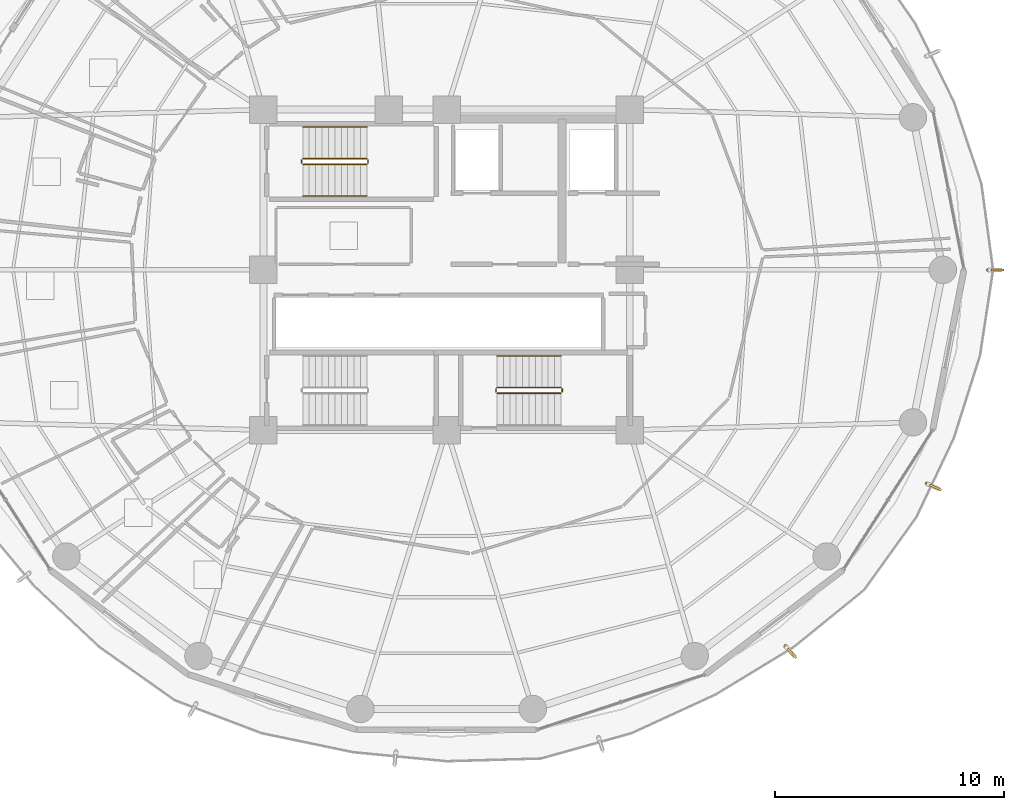
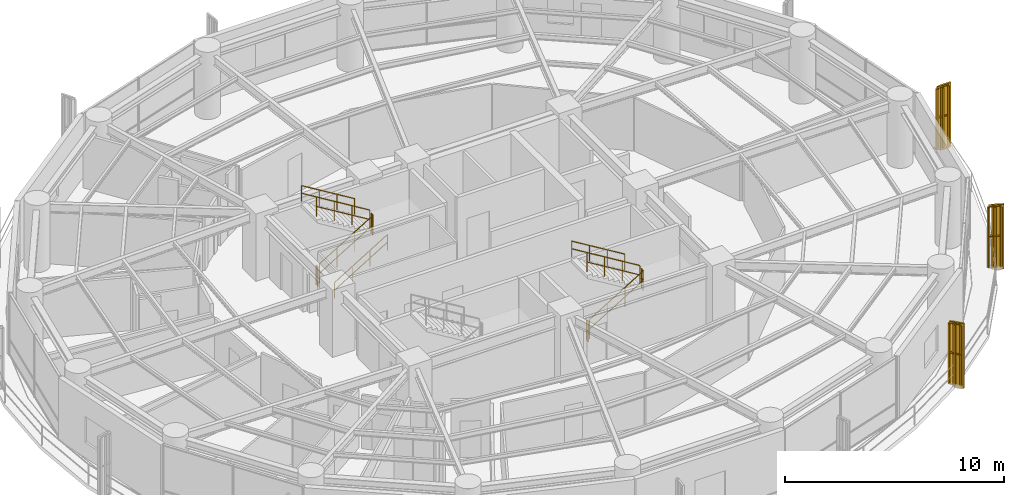
# One storey, part 27 of 28: 14 railings, 3 shading devices.
"""IFC4 building model written with IfcOpenShell, lengths in metres."""

from ifc_helpers import new_model, si_unit, direction, frame, origin, origin_2d, place, context, subcontext, project, spatial, polyline, rectangle, outline, extrude, source, transform, mapped, material, type_object, element, save


model = new_model("IFC4")

# Units and contexts
model_context = context("Model", 3, precision=1e-05, world=origin(), true_north=direction((0.0, 1.0)))
body_context = subcontext(model_context, "Body", "Model", "MODEL_VIEW")
ifc_project = project(units=[si_unit("LENGTHUNIT", "METRE"), si_unit("AREAUNIT", "SQUARE_METRE"), si_unit("VOLUMEUNIT", "CUBIC_METRE"), si_unit("PLANEANGLEUNIT", "RADIAN"), si_unit("MASSUNIT", "GRAM", prefix="KILO")], contexts=[model_context])

# Site, building, storey
site_placement = place(None, origin())
site = spatial("IfcSite", under=ifc_project, at=site_placement, CompositionType="ELEMENT")
building_placement = place(site_placement, origin())
building = spatial("IfcBuilding", under=site, at=building_placement, Name="Kelanora Arch Commons", CompositionType="ELEMENT")
storey_placement = place(building_placement, frame((0.0, 0.0, 158.10009765625)))
storey = spatial("IfcBuildingStorey", under=building, at=storey_placement, Name="L40", CompositionType="ELEMENT", Elevation=158.10009765625)

# Railings
ifc_material_1 = material(Name="Anodised bronze vertical shading fin rib assembly")
railing_type_1 = type_object("IfcRailingType", Name="RAIL-FIN-BRZ", PredefinedType="BALUSTRADE", material=ifc_material_1)
railing_1_placement = place(storey_placement, frame((97.648681640625, 58.0, -0.02001953125)))
element("IfcRailing", 1, at=railing_1_placement, inside=storey, type_object=railing_type_1, Name="Sweeping Bronze Vertical Fin Blade L40-00", PredefinedType="BALUSTRADE", context=body_context, shape_type="SweptSolid", body=[
    extrude(outline(polyline([(0.06982421875, 0.0), (0.034912109375, 0.060546875), (-0.034912109375, 0.060546875), (-0.06982421875, 0.0), (-0.034912109375, -0.060546875), (0.034912109375, -0.060546875), (0.06982421875, 0.0)])), frame((0.0, 0.0, 3.419921875), z_axis=(1.0, 0.0, 0.0), x_axis=(0.0, 1.0, 0.0)), (0.0, 0.0, 1.0), 0.5615234375),
    extrude(outline(polyline([(0.06982421875, 0.0), (0.034912109375, 0.060546875), (-0.034912109375, 0.060546875), (-0.06982421875, 0.0), (-0.034912109375, -0.060546875), (0.034912109375, -0.060546875), (0.06982421875, 0.0)])), frame((0.0, 0.0, 1.7451171875), z_axis=(1.0, 0.0, 0.0), x_axis=(0.0, 1.0, 0.0)), (0.0, 0.0, 1.0), 0.5615234375),
    extrude(outline(polyline([(0.080078125, 0.0), (0.0400390625, 0.0693359375), (-0.0400390625, 0.0693359375), (-0.080078125, 0.0), (-0.0400390625, -0.0693359375), (0.0400390625, -0.0693359375), (0.080078125, 0.0)])), origin(), (0.0, 0.0, 1.0), 3.35009765625),
    extrude(outline(polyline([(0.080078125, 0.0), (0.0400390625, 0.0693359375), (-0.0400390625, 0.0693359375), (-0.080078125, 0.0), (-0.0400390625, -0.0693359375), (0.0400390625, -0.0693359375), (0.080078125, 0.0)])), frame((0.28076171875, 0.0, 0.0)), (0.0, 0.0, 1.0), 3.35009765625),
    extrude(outline(polyline([(0.080078125, 0.0), (0.0400390625, 0.0693359375), (-0.0400390625, 0.0693359375), (-0.080078125, 0.0), (-0.0400390625, -0.0693359375), (0.0400390625, -0.0693359375), (0.080078125, 0.0)])), frame((0.5615234375, 0.0, 0.0)), (0.0, 0.0, 1.0), 3.35009765625),
])
railing_2_placement = place(storey_placement, frame((88.8037109375, 41.55859375, -0.02001953125)))
element("IfcRailing", 2, at=railing_2_placement, inside=storey, type_object=railing_type_1, Name="Sweeping Bronze Vertical Fin Blade L40-13", PredefinedType="BALUSTRADE", context=body_context, shape_type="SweptSolid", body=[
    extrude(outline(polyline([(0.06982421875, 0.0), (0.034912109375, 0.060546875), (-0.034912109375, 0.060546875), (-0.06982421875, 0.0), (-0.034912109375, -0.060546875), (0.034912109375, -0.060546875), (0.06982421875, 0.0)])), frame((0.0, 0.0, 3.419921875), z_axis=(0.669397171204, -0.742904722817, 0.0), x_axis=(0.742904722817, 0.669397171204, 0.0)), (0.0, 0.0, 1.0), 0.561279296875),
    extrude(outline(polyline([(0.06982421875, 0.0), (0.034912109375, 0.060546875), (-0.034912109375, 0.060546875), (-0.06982421875, 0.0), (-0.034912109375, -0.060546875), (0.034912109375, -0.060546875), (0.06982421875, 0.0)])), frame((0.0, 0.0, 1.7451171875), z_axis=(0.669397171204, -0.742904722817, 0.0), x_axis=(0.742904722817, 0.669397171204, 0.0)), (0.0, 0.0, 1.0), 0.561279296875),
    extrude(outline(polyline([(0.080078125, 0.0), (0.0400390625, 0.0693359375), (-0.0400390625, 0.0693359375), (-0.080078125, 0.0), (-0.0400390625, -0.0693359375), (0.0400390625, -0.0693359375), (0.080078125, 0.0)])), origin(), (0.0, 0.0, 1.0), 3.35009765625),
    extrude(outline(polyline([(0.080078125, 0.0), (0.0400390625, 0.0693359375), (-0.0400390625, 0.0693359375), (-0.080078125, 0.0), (-0.0400390625, -0.0693359375), (0.0400390625, -0.0693359375), (0.080078125, 0.0)])), frame((0.18798828125, -0.20849609375, 0.0)), (0.0, 0.0, 1.0), 3.35009765625),
    extrude(outline(polyline([(0.080078125, 0.0), (0.0400390625, 0.0693359375), (-0.0400390625, 0.0693359375), (-0.080078125, 0.0), (-0.0400390625, -0.0693359375), (0.0400390625, -0.0693359375), (0.080078125, 0.0)])), frame((0.375732421875, -0.4169921875, 0.0)), (0.0, 0.0, 1.0), 3.35009765625),
])
railing_3_placement = place(storey_placement, frame((94.9697265625, 48.663818359375, -0.02001953125)))
element("IfcRailing", 3, at=railing_3_placement, inside=storey, type_object=railing_type_1, Name="Sweeping Bronze Vertical Fin Blade L40-14", PredefinedType="BALUSTRADE", context=body_context, shape_type="SweptSolid", body=[
    extrude(outline(polyline([(0.06982421875, 0.0), (0.034912109375, 0.060546875), (-0.034912109375, 0.060546875), (-0.06982421875, 0.0), (-0.034912109375, -0.060546875), (0.034912109375, -0.060546875), (0.06982421875, 0.0)])), frame((0.0, 0.0, 3.419921875), z_axis=(0.91345261894, -0.406945098204, 0.0), x_axis=(0.406945098204, 0.91345261894, 0.0)), (0.0, 0.0, 1.0), 0.5615234375),
    extrude(outline(polyline([(0.06982421875, 0.0), (0.034912109375, 0.060546875), (-0.034912109375, 0.060546875), (-0.06982421875, 0.0), (-0.034912109375, -0.060546875), (0.034912109375, -0.060546875), (0.06982421875, 0.0)])), frame((0.0, 0.0, 1.7451171875), z_axis=(0.91345261894, -0.406945098204, 0.0), x_axis=(0.406945098204, 0.91345261894, 0.0)), (0.0, 0.0, 1.0), 0.5615234375),
    extrude(outline(polyline([(0.080078125, 0.0), (0.0400390625, 0.0693359375), (-0.0400390625, 0.0693359375), (-0.080078125, 0.0), (-0.0400390625, -0.0693359375), (0.0400390625, -0.0693359375), (0.080078125, 0.0)])), origin(), (0.0, 0.0, 1.0), 3.35009765625),
    extrude(outline(polyline([(0.080078125, 0.0), (0.0400390625, 0.0693359375), (-0.0400390625, 0.0693359375), (-0.080078125, 0.0), (-0.0400390625, -0.0693359375), (0.0400390625, -0.0693359375), (0.080078125, 0.0)])), frame((0.25634765625, -0.1142578125, 0.0)), (0.0, 0.0, 1.0), 3.35009765625),
    extrude(outline(polyline([(0.080078125, 0.0), (0.0400390625, 0.0693359375), (-0.0400390625, 0.0693359375), (-0.080078125, 0.0), (-0.0400390625, -0.0693359375), (0.0400390625, -0.0693359375), (0.080078125, 0.0)])), frame((0.512939453125, -0.228515625, 0.0)), (0.0, 0.0, 1.0), 3.35009765625),
])
ifc_material_2 = material(Name="Painted steel stair well guard", Category="steel")
railing_type_2 = type_object("IfcRailingType", Name="RAIL-STAIR-GRD", PredefinedType="GUARDRAIL", material=ifc_material_2)
railing_4_placement = place(storey_placement, frame((67.719970703125, 62.610107421875, 0.17041015625)))
element("IfcRailing", 4, at=railing_4_placement, inside=storey, type_object=railing_type_2, Name="L40 ST-T1 stair guard 1", PredefinedType="GUARDRAIL", context=body_context, shape_type="SweptSolid", body=[
    extrude(outline(polyline([(0.02392578125, 0.0), (0.011962890625, 0.020751953125), (-0.011962890625, 0.020751953125), (-0.02392578125, 0.0), (-0.011962890625, -0.020751953125), (0.011962890625, -0.020751953125), (0.02392578125, 0.0)])), frame((0.0, 0.0, 1.076171875), z_axis=(0.854169791009, 0.0, 0.51999420009), x_axis=(0.0, 1.0, 0.0)), (0.0, 0.0, 1.0), 3.278076171875),
    extrude(outline(polyline([(0.02392578125, 0.0), (0.011962890625, 0.020751953125), (-0.011962890625, 0.020751953125), (-0.02392578125, 0.0), (-0.011962890625, -0.020751953125), (0.011962890625, -0.020751953125), (0.02392578125, 0.0)])), frame((0.0, 0.0, 0.550048828125), z_axis=(0.854169791009, 0.0, 0.51999420009), x_axis=(0.0, 1.0, 0.0)), (0.0, 0.0, 1.0), 3.278076171875),
    extrude(outline(polyline([(0.02099609375, 0.0), (0.010498046875, 0.01806640625), (-0.010498046875, 0.01806640625), (-0.02099609375, 0.0), (-0.010498046875, -0.01806640625), (0.010498046875, -0.01806640625), (0.02099609375, 0.0)])), origin(), (0.0, 0.0, 1.0), 1.052001953125),
    extrude(outline(polyline([(0.02099609375, 0.0), (0.010498046875, 0.01806640625), (-0.010498046875, 0.01806640625), (-0.02099609375, 0.0), (-0.010498046875, -0.01806640625), (0.010498046875, -0.01806640625), (0.02099609375, 0.0)])), frame((0.933349609375, 0.0, 0.568115234375)), (0.0, 0.0, 1.0), 1.052001953125),
    extrude(outline(polyline([(0.02099609375, 0.0), (0.010498046875, 0.01806640625), (-0.010498046875, 0.01806640625), (-0.02099609375, 0.0), (-0.010498046875, -0.01806640625), (0.010498046875, -0.01806640625), (0.02099609375, 0.0)])), frame((1.86669921875, 0.0, 1.136474609375)), (0.0, 0.0, 1.0), 1.052001953125),
    extrude(outline(polyline([(0.02099609375, 0.0), (0.010498046875, 0.01806640625), (-0.010498046875, 0.01806640625), (-0.02099609375, 0.0), (-0.010498046875, -0.01806640625), (0.010498046875, -0.01806640625), (0.02099609375, 0.0)])), frame((2.800048828125, 0.0, 1.70458984375)), (0.0, 0.0, 1.0), 1.052001953125),
])
railing_5_placement = place(storey_placement, frame((70.570068359375, 62.659912109375, 1.875)))
element("IfcRailing", 5, at=railing_5_placement, inside=storey, type_object=railing_type_2, Name="L40 ST-T1 stair guard 2", PredefinedType="GUARDRAIL", context=body_context, shape_type="SweptSolid", body=[
    extrude(outline(polyline([(0.02392578125, 0.0), (0.011962890625, 0.020751953125), (-0.011962890625, 0.020751953125), (-0.02392578125, 0.0), (-0.011962890625, -0.020751953125), (0.011962890625, -0.020751953125), (0.02392578125, 0.0)])), frame((0.0, 0.0, 1.076171875), z_axis=(0.0, 1.0, 0.0), x_axis=(-1.0, 0.0, 0.0)), (0.0, 0.0, 1.0), 0.150146484375),
    extrude(outline(polyline([(0.02392578125, 0.0), (0.011962890625, 0.020751953125), (-0.011962890625, 0.020751953125), (-0.02392578125, 0.0), (-0.011962890625, -0.020751953125), (0.011962890625, -0.020751953125), (0.02392578125, 0.0)])), frame((0.0, 0.0, 0.550048828125), z_axis=(0.0, 1.0, 0.0), x_axis=(-1.0, 0.0, 0.0)), (0.0, 0.0, 1.0), 0.150146484375),
    extrude(outline(polyline([(0.02099609375, 0.0), (0.010498046875, 0.01806640625), (-0.010498046875, 0.01806640625), (-0.02099609375, 0.0), (-0.010498046875, -0.01806640625), (0.010498046875, -0.01806640625), (0.02099609375, 0.0)])), origin(), (0.0, 0.0, 1.0), 1.052001953125),
    extrude(outline(polyline([(0.02099609375, 0.0), (0.010498046875, 0.01806640625), (-0.010498046875, 0.01806640625), (-0.02099609375, 0.0), (-0.010498046875, -0.01806640625), (0.010498046875, -0.01806640625), (0.02099609375, 0.0)])), frame((0.0, 0.150146484375, 0.0)), (0.0, 0.0, 1.0), 1.052001953125),
])
railing_6_placement = place(storey_placement, frame((70.52001953125, 62.860107421875, 2.04541015625)))
element("IfcRailing", 6, at=railing_6_placement, inside=storey, type_object=railing_type_2, Name="L40 ST-T1 stair guard 3", PredefinedType="GUARDRAIL", context=body_context, shape_type="SweptSolid", body=[
    extrude(outline(polyline([(0.02392578125, 0.0), (0.011962890625, 0.020751953125), (-0.011962890625, 0.020751953125), (-0.02392578125, 0.0), (-0.011962890625, -0.020751953125), (0.011962890625, -0.020751953125), (0.02392578125, 0.0)])), frame((0.0, 0.0, 1.076171875), z_axis=(-0.854169791009, 0.0, 0.51999420009), x_axis=(0.0, -1.0, 0.0)), (0.0, 0.0, 1.0), 3.278076171875),
    extrude(outline(polyline([(0.02392578125, 0.0), (0.011962890625, 0.020751953125), (-0.011962890625, 0.020751953125), (-0.02392578125, 0.0), (-0.011962890625, -0.020751953125), (0.011962890625, -0.020751953125), (0.02392578125, 0.0)])), frame((0.0, 0.0, 0.550048828125), z_axis=(-0.854169791009, 0.0, 0.51999420009), x_axis=(0.0, -1.0, 0.0)), (0.0, 0.0, 1.0), 3.278076171875),
    extrude(outline(polyline([(0.02099609375, 0.0), (0.010498046875, 0.01806640625), (-0.010498046875, 0.01806640625), (-0.02099609375, 0.0), (-0.010498046875, -0.01806640625), (0.010498046875, -0.01806640625), (0.02099609375, 0.0)])), origin(), (0.0, 0.0, 1.0), 1.052001953125),
    extrude(outline(polyline([(0.02099609375, 0.0), (0.010498046875, 0.01806640625), (-0.010498046875, 0.01806640625), (-0.02099609375, 0.0), (-0.010498046875, -0.01806640625), (0.010498046875, -0.01806640625), (0.02099609375, 0.0)])), frame((-0.933349609375, 0.0, 0.568115234375)), (0.0, 0.0, 1.0), 1.052001953125),
    extrude(outline(polyline([(0.02099609375, 0.0), (0.010498046875, 0.01806640625), (-0.010498046875, 0.01806640625), (-0.02099609375, 0.0), (-0.010498046875, -0.01806640625), (0.010498046875, -0.01806640625), (0.02099609375, 0.0)])), frame((-1.86669921875, 0.0, 1.136474609375)), (0.0, 0.0, 1.0), 1.052001953125),
    extrude(outline(polyline([(0.02099609375, 0.0), (0.010498046875, 0.01806640625), (-0.010498046875, 0.01806640625), (-0.02099609375, 0.0), (-0.010498046875, -0.01806640625), (0.010498046875, -0.01806640625), (0.02099609375, 0.0)])), frame((-2.800048828125, 0.0, 1.70458984375)), (0.0, 0.0, 1.0), 1.052001953125),
])
railing_7_placement = place(storey_placement, frame((67.669921875, 62.659912109375, 0.0)))
element("IfcRailing", 7, at=railing_7_placement, inside=storey, type_object=railing_type_2, Name="L40 ST-T1 stair guard 4", PredefinedType="GUARDRAIL", context=body_context, shape_type="SweptSolid", body=[
    extrude(outline(polyline([(0.02392578125, 0.0), (0.011962890625, 0.020751953125), (-0.011962890625, 0.020751953125), (-0.02392578125, 0.0), (-0.011962890625, -0.020751953125), (0.011962890625, -0.020751953125), (0.02392578125, 0.0)])), frame((0.0, 0.0, 1.076171875), z_axis=(0.0, 1.0, 0.0), x_axis=(-1.0, 0.0, 0.0)), (0.0, 0.0, 1.0), 0.150146484375),
    extrude(outline(polyline([(0.02392578125, 0.0), (0.011962890625, 0.020751953125), (-0.011962890625, 0.020751953125), (-0.02392578125, 0.0), (-0.011962890625, -0.020751953125), (0.011962890625, -0.020751953125), (0.02392578125, 0.0)])), frame((0.0, 0.0, 0.550048828125), z_axis=(0.0, 1.0, 0.0), x_axis=(-1.0, 0.0, 0.0)), (0.0, 0.0, 1.0), 0.150146484375),
    extrude(outline(polyline([(0.02099609375, 0.0), (0.010498046875, 0.01806640625), (-0.010498046875, 0.01806640625), (-0.02099609375, 0.0), (-0.010498046875, -0.01806640625), (0.010498046875, -0.01806640625), (0.02099609375, 0.0)])), origin(), (0.0, 0.0, 1.0), 1.052001953125),
    extrude(outline(polyline([(0.02099609375, 0.0), (0.010498046875, 0.01806640625), (-0.010498046875, 0.01806640625), (-0.02099609375, 0.0), (-0.010498046875, -0.01806640625), (0.010498046875, -0.01806640625), (0.02099609375, 0.0)])), frame((0.0, 0.150146484375, 0.0)), (0.0, 0.0, 1.0), 1.052001953125),
])
railing_8_placement = place(storey_placement, frame((76.199951171875, 52.610107421875, 0.17041015625)))
element("IfcRailing", 8, at=railing_8_placement, inside=storey, type_object=railing_type_2, Name="L40 ST-T2 stair guard 1", PredefinedType="GUARDRAIL", context=body_context, shape_type="SweptSolid", body=[
    extrude(outline(polyline([(0.02392578125, 0.0), (0.011962890625, 0.020751953125), (-0.011962890625, 0.020751953125), (-0.02392578125, 0.0), (-0.011962890625, -0.020751953125), (0.011962890625, -0.020751953125), (0.02392578125, 0.0)])), frame((0.0, 0.0, 1.076171875), z_axis=(0.854169791009, 0.0, 0.51999420009), x_axis=(0.0, 1.0, 0.0)), (0.0, 0.0, 1.0), 3.278076171875),
    extrude(outline(polyline([(0.02392578125, 0.0), (0.011962890625, 0.020751953125), (-0.011962890625, 0.020751953125), (-0.02392578125, 0.0), (-0.011962890625, -0.020751953125), (0.011962890625, -0.020751953125), (0.02392578125, 0.0)])), frame((0.0, 0.0, 0.550048828125), z_axis=(0.854169791009, 0.0, 0.51999420009), x_axis=(0.0, 1.0, 0.0)), (0.0, 0.0, 1.0), 3.278076171875),
    extrude(outline(polyline([(0.02099609375, 0.0), (0.010498046875, 0.01806640625), (-0.010498046875, 0.01806640625), (-0.02099609375, 0.0), (-0.010498046875, -0.01806640625), (0.010498046875, -0.01806640625), (0.02099609375, 0.0)])), origin(), (0.0, 0.0, 1.0), 1.052001953125),
    extrude(outline(polyline([(0.02099609375, 0.0), (0.010498046875, 0.01806640625), (-0.010498046875, 0.01806640625), (-0.02099609375, 0.0), (-0.010498046875, -0.01806640625), (0.010498046875, -0.01806640625), (0.02099609375, 0.0)])), frame((0.933349609375, 0.0, 0.568115234375)), (0.0, 0.0, 1.0), 1.052001953125),
    extrude(outline(polyline([(0.02099609375, 0.0), (0.010498046875, 0.01806640625), (-0.010498046875, 0.01806640625), (-0.02099609375, 0.0), (-0.010498046875, -0.01806640625), (0.010498046875, -0.01806640625), (0.02099609375, 0.0)])), frame((1.86669921875, 0.0, 1.136474609375)), (0.0, 0.0, 1.0), 1.052001953125),
    extrude(outline(polyline([(0.02099609375, 0.0), (0.010498046875, 0.01806640625), (-0.010498046875, 0.01806640625), (-0.02099609375, 0.0), (-0.010498046875, -0.01806640625), (0.010498046875, -0.01806640625), (0.02099609375, 0.0)])), frame((2.800048828125, 0.0, 1.70458984375)), (0.0, 0.0, 1.0), 1.052001953125),
])
railing_9_placement = place(storey_placement, frame((79.050048828125, 52.659912109375, 1.875)))
element("IfcRailing", 9, at=railing_9_placement, inside=storey, type_object=railing_type_2, Name="L40 ST-T2 stair guard 2", PredefinedType="GUARDRAIL", context=body_context, shape_type="SweptSolid", body=[
    extrude(outline(polyline([(0.02392578125, 0.0), (0.011962890625, 0.020751953125), (-0.011962890625, 0.020751953125), (-0.02392578125, 0.0), (-0.011962890625, -0.020751953125), (0.011962890625, -0.020751953125), (0.02392578125, 0.0)])), frame((0.0, 0.0, 1.076171875), z_axis=(0.0, 1.0, 0.0), x_axis=(-1.0, 0.0, 0.0)), (0.0, 0.0, 1.0), 0.150146484375),
    extrude(outline(polyline([(0.02392578125, 0.0), (0.011962890625, 0.020751953125), (-0.011962890625, 0.020751953125), (-0.02392578125, 0.0), (-0.011962890625, -0.020751953125), (0.011962890625, -0.020751953125), (0.02392578125, 0.0)])), frame((0.0, 0.0, 0.550048828125), z_axis=(0.0, 1.0, 0.0), x_axis=(-1.0, 0.0, 0.0)), (0.0, 0.0, 1.0), 0.150146484375),
    extrude(outline(polyline([(0.02099609375, 0.0), (0.010498046875, 0.01806640625), (-0.010498046875, 0.01806640625), (-0.02099609375, 0.0), (-0.010498046875, -0.01806640625), (0.010498046875, -0.01806640625), (0.02099609375, 0.0)])), origin(), (0.0, 0.0, 1.0), 1.052001953125),
    extrude(outline(polyline([(0.02099609375, 0.0), (0.010498046875, 0.01806640625), (-0.010498046875, 0.01806640625), (-0.02099609375, 0.0), (-0.010498046875, -0.01806640625), (0.010498046875, -0.01806640625), (0.02099609375, 0.0)])), frame((0.0, 0.150146484375, 0.0)), (0.0, 0.0, 1.0), 1.052001953125),
])
railing_10_placement = place(storey_placement, frame((79.0, 52.860107421875, 2.04541015625)))
element("IfcRailing", 10, at=railing_10_placement, inside=storey, type_object=railing_type_2, Name="L40 ST-T2 stair guard 3", PredefinedType="GUARDRAIL", context=body_context, shape_type="SweptSolid", body=[
    extrude(outline(polyline([(0.02392578125, 0.0), (0.011962890625, 0.020751953125), (-0.011962890625, 0.020751953125), (-0.02392578125, 0.0), (-0.011962890625, -0.020751953125), (0.011962890625, -0.020751953125), (0.02392578125, 0.0)])), frame((0.0, 0.0, 1.076171875), z_axis=(-0.854169791009, 0.0, 0.51999420009), x_axis=(0.0, -1.0, 0.0)), (0.0, 0.0, 1.0), 3.278076171875),
    extrude(outline(polyline([(0.02392578125, 0.0), (0.011962890625, 0.020751953125), (-0.011962890625, 0.020751953125), (-0.02392578125, 0.0), (-0.011962890625, -0.020751953125), (0.011962890625, -0.020751953125), (0.02392578125, 0.0)])), frame((0.0, 0.0, 0.550048828125), z_axis=(-0.854169791009, 0.0, 0.51999420009), x_axis=(0.0, -1.0, 0.0)), (0.0, 0.0, 1.0), 3.278076171875),
    extrude(outline(polyline([(0.02099609375, 0.0), (0.010498046875, 0.01806640625), (-0.010498046875, 0.01806640625), (-0.02099609375, 0.0), (-0.010498046875, -0.01806640625), (0.010498046875, -0.01806640625), (0.02099609375, 0.0)])), origin(), (0.0, 0.0, 1.0), 1.052001953125),
    extrude(outline(polyline([(0.02099609375, 0.0), (0.010498046875, 0.01806640625), (-0.010498046875, 0.01806640625), (-0.02099609375, 0.0), (-0.010498046875, -0.01806640625), (0.010498046875, -0.01806640625), (0.02099609375, 0.0)])), frame((-0.933349609375, 0.0, 0.568115234375)), (0.0, 0.0, 1.0), 1.052001953125),
    extrude(outline(polyline([(0.02099609375, 0.0), (0.010498046875, 0.01806640625), (-0.010498046875, 0.01806640625), (-0.02099609375, 0.0), (-0.010498046875, -0.01806640625), (0.010498046875, -0.01806640625), (0.02099609375, 0.0)])), frame((-1.86669921875, 0.0, 1.136474609375)), (0.0, 0.0, 1.0), 1.052001953125),
    extrude(outline(polyline([(0.02099609375, 0.0), (0.010498046875, 0.01806640625), (-0.010498046875, 0.01806640625), (-0.02099609375, 0.0), (-0.010498046875, -0.01806640625), (0.010498046875, -0.01806640625), (0.02099609375, 0.0)])), frame((-2.800048828125, 0.0, 1.70458984375)), (0.0, 0.0, 1.0), 1.052001953125),
])
railing_11_placement = place(storey_placement, frame((76.14990234375, 52.659912109375, 0.0)))
element("IfcRailing", 11, at=railing_11_placement, inside=storey, type_object=railing_type_2, Name="L40 ST-T2 stair guard 4", PredefinedType="GUARDRAIL", context=body_context, shape_type="SweptSolid", body=[
    extrude(outline(polyline([(0.02392578125, 0.0), (0.011962890625, 0.020751953125), (-0.011962890625, 0.020751953125), (-0.02392578125, 0.0), (-0.011962890625, -0.020751953125), (0.011962890625, -0.020751953125), (0.02392578125, 0.0)])), frame((0.0, 0.0, 1.076171875), z_axis=(0.0, 1.0, 0.0), x_axis=(-1.0, 0.0, 0.0)), (0.0, 0.0, 1.0), 0.150146484375),
    extrude(outline(polyline([(0.02392578125, 0.0), (0.011962890625, 0.020751953125), (-0.011962890625, 0.020751953125), (-0.02392578125, 0.0), (-0.011962890625, -0.020751953125), (0.011962890625, -0.020751953125), (0.02392578125, 0.0)])), frame((0.0, 0.0, 0.550048828125), z_axis=(0.0, 1.0, 0.0), x_axis=(-1.0, 0.0, 0.0)), (0.0, 0.0, 1.0), 0.150146484375),
    extrude(outline(polyline([(0.02099609375, 0.0), (0.010498046875, 0.01806640625), (-0.010498046875, 0.01806640625), (-0.02099609375, 0.0), (-0.010498046875, -0.01806640625), (0.010498046875, -0.01806640625), (0.02099609375, 0.0)])), origin(), (0.0, 0.0, 1.0), 1.052001953125),
    extrude(outline(polyline([(0.02099609375, 0.0), (0.010498046875, 0.01806640625), (-0.010498046875, 0.01806640625), (-0.02099609375, 0.0), (-0.010498046875, -0.01806640625), (0.010498046875, -0.01806640625), (0.02099609375, 0.0)])), frame((0.0, 0.150146484375, 0.0)), (0.0, 0.0, 1.0), 1.052001953125),
])
ifc_material_3 = material(Name="Brushed stainless steel stair handrail", Category="steel")
railing_type_3 = type_object("IfcRailingType", Name="RAIL-STAIR-HND", PredefinedType="HANDRAIL", material=ifc_material_3)
railing_12_placement = place(storey_placement, frame((67.719970703125, 61.22998046875, 0.17041015625)))
element("IfcRailing", 12, at=railing_12_placement, inside=storey, type_object=railing_type_3, Name="L40 ST-T1 stair handrail 1", PredefinedType="HANDRAIL", context=body_context, shape_type="SweptSolid", body=[
    extrude(outline(polyline([(0.02392578125, 0.0), (0.011962890625, 0.020751953125), (-0.011962890625, 0.020751953125), (-0.02392578125, 0.0), (-0.011962890625, -0.020751953125), (0.011962890625, -0.020751953125), (0.02392578125, 0.0)])), frame((0.0, 0.0, 0.8759765625), z_axis=(0.854169791009, 0.0, 0.51999420009), x_axis=(0.0, 1.0, 0.0)), (0.0, 0.0, 1.0), 3.278076171875),
    extrude(outline(polyline([(0.02392578125, 0.0), (0.011962890625, 0.020751953125), (-0.011962890625, 0.020751953125), (-0.02392578125, 0.0), (-0.011962890625, -0.020751953125), (0.011962890625, -0.020751953125), (0.02392578125, 0.0)])), frame((0.0, 0.0, 0.449951171875), z_axis=(0.854169791009, 0.0, 0.51999420009), x_axis=(0.0, 1.0, 0.0)), (0.0, 0.0, 1.0), 3.278076171875),
    extrude(outline(polyline([(0.02099609375, 0.0), (0.010498046875, 0.01806640625), (-0.010498046875, 0.01806640625), (-0.02099609375, 0.0), (-0.010498046875, -0.01806640625), (0.010498046875, -0.01806640625), (0.02099609375, 0.0)])), origin(), (0.0, 0.0, 1.0), 0.851806640625),
    extrude(outline(polyline([(0.02099609375, 0.0), (0.010498046875, 0.01806640625), (-0.010498046875, 0.01806640625), (-0.02099609375, 0.0), (-0.010498046875, -0.01806640625), (0.010498046875, -0.01806640625), (0.02099609375, 0.0)])), frame((0.933349609375, 0.0, 0.568115234375)), (0.0, 0.0, 1.0), 0.851806640625),
    extrude(outline(polyline([(0.02099609375, 0.0), (0.010498046875, 0.01806640625), (-0.010498046875, 0.01806640625), (-0.02099609375, 0.0), (-0.010498046875, -0.01806640625), (0.010498046875, -0.01806640625), (0.02099609375, 0.0)])), frame((1.86669921875, 0.0, 1.136474609375)), (0.0, 0.0, 1.0), 0.851806640625),
    extrude(outline(polyline([(0.02099609375, 0.0), (0.010498046875, 0.01806640625), (-0.010498046875, 0.01806640625), (-0.02099609375, 0.0), (-0.010498046875, -0.01806640625), (0.010498046875, -0.01806640625), (0.02099609375, 0.0)])), frame((2.800048828125, 0.0, 1.70458984375)), (0.0, 0.0, 1.0), 0.851806640625),
])
railing_13_placement = place(storey_placement, frame((70.52001953125, 64.239990234375, 2.04541015625)))
element("IfcRailing", 13, at=railing_13_placement, inside=storey, type_object=railing_type_3, Name="L40 ST-T1 stair handrail 2", PredefinedType="HANDRAIL", context=body_context, shape_type="SweptSolid", body=[
    extrude(outline(polyline([(0.02392578125, 0.0), (0.011962890625, 0.020751953125), (-0.011962890625, 0.020751953125), (-0.02392578125, 0.0), (-0.011962890625, -0.020751953125), (0.011962890625, -0.020751953125), (0.02392578125, 0.0)])), frame((0.0, 0.0, 0.8759765625), z_axis=(-0.854169791009, 0.0, 0.51999420009), x_axis=(0.0, -1.0, 0.0)), (0.0, 0.0, 1.0), 3.278076171875),
    extrude(outline(polyline([(0.02392578125, 0.0), (0.011962890625, 0.020751953125), (-0.011962890625, 0.020751953125), (-0.02392578125, 0.0), (-0.011962890625, -0.020751953125), (0.011962890625, -0.020751953125), (0.02392578125, 0.0)])), frame((0.0, 0.0, 0.449951171875), z_axis=(-0.854169791009, 0.0, 0.51999420009), x_axis=(0.0, -1.0, 0.0)), (0.0, 0.0, 1.0), 3.278076171875),
    extrude(outline(polyline([(0.02099609375, 0.0), (0.010498046875, 0.01806640625), (-0.010498046875, 0.01806640625), (-0.02099609375, 0.0), (-0.010498046875, -0.01806640625), (0.010498046875, -0.01806640625), (0.02099609375, 0.0)])), origin(), (0.0, 0.0, 1.0), 0.851806640625),
    extrude(outline(polyline([(0.02099609375, 0.0), (0.010498046875, 0.01806640625), (-0.010498046875, 0.01806640625), (-0.02099609375, 0.0), (-0.010498046875, -0.01806640625), (0.010498046875, -0.01806640625), (0.02099609375, 0.0)])), frame((-0.933349609375, 0.0, 0.568115234375)), (0.0, 0.0, 1.0), 0.851806640625),
    extrude(outline(polyline([(0.02099609375, 0.0), (0.010498046875, 0.01806640625), (-0.010498046875, 0.01806640625), (-0.02099609375, 0.0), (-0.010498046875, -0.01806640625), (0.010498046875, -0.01806640625), (0.02099609375, 0.0)])), frame((-1.86669921875, 0.0, 1.136474609375)), (0.0, 0.0, 1.0), 0.851806640625),
    extrude(outline(polyline([(0.02099609375, 0.0), (0.010498046875, 0.01806640625), (-0.010498046875, 0.01806640625), (-0.02099609375, 0.0), (-0.010498046875, -0.01806640625), (0.010498046875, -0.01806640625), (0.02099609375, 0.0)])), frame((-2.800048828125, 0.0, 1.70458984375)), (0.0, 0.0, 1.0), 0.851806640625),
])
railing_14_placement = place(storey_placement, frame((79.0, 54.239990234375, 2.04541015625)))
element("IfcRailing", 14, at=railing_14_placement, inside=storey, type_object=railing_type_3, Name="L40 ST-T2 stair handrail 2", PredefinedType="HANDRAIL", context=body_context, shape_type="SweptSolid", body=[
    extrude(outline(polyline([(0.02392578125, 0.0), (0.011962890625, 0.020751953125), (-0.011962890625, 0.020751953125), (-0.02392578125, 0.0), (-0.011962890625, -0.020751953125), (0.011962890625, -0.020751953125), (0.02392578125, 0.0)])), frame((0.0, 0.0, 0.8759765625), z_axis=(-0.854169791009, 0.0, 0.51999420009), x_axis=(0.0, -1.0, 0.0)), (0.0, 0.0, 1.0), 3.278076171875),
    extrude(outline(polyline([(0.02392578125, 0.0), (0.011962890625, 0.020751953125), (-0.011962890625, 0.020751953125), (-0.02392578125, 0.0), (-0.011962890625, -0.020751953125), (0.011962890625, -0.020751953125), (0.02392578125, 0.0)])), frame((0.0, 0.0, 0.449951171875), z_axis=(-0.854169791009, 0.0, 0.51999420009), x_axis=(0.0, -1.0, 0.0)), (0.0, 0.0, 1.0), 3.278076171875),
    extrude(outline(polyline([(0.02099609375, 0.0), (0.010498046875, 0.01806640625), (-0.010498046875, 0.01806640625), (-0.02099609375, 0.0), (-0.010498046875, -0.01806640625), (0.010498046875, -0.01806640625), (0.02099609375, 0.0)])), origin(), (0.0, 0.0, 1.0), 0.851806640625),
    extrude(outline(polyline([(0.02099609375, 0.0), (0.010498046875, 0.01806640625), (-0.010498046875, 0.01806640625), (-0.02099609375, 0.0), (-0.010498046875, -0.01806640625), (0.010498046875, -0.01806640625), (0.02099609375, 0.0)])), frame((-0.933349609375, 0.0, 0.568115234375)), (0.0, 0.0, 1.0), 0.851806640625),
    extrude(outline(polyline([(0.02099609375, 0.0), (0.010498046875, 0.01806640625), (-0.010498046875, 0.01806640625), (-0.02099609375, 0.0), (-0.010498046875, -0.01806640625), (0.010498046875, -0.01806640625), (0.02099609375, 0.0)])), frame((-1.86669921875, 0.0, 1.136474609375)), (0.0, 0.0, 1.0), 0.851806640625),
    extrude(outline(polyline([(0.02099609375, 0.0), (0.010498046875, 0.01806640625), (-0.010498046875, 0.01806640625), (-0.02099609375, 0.0), (-0.010498046875, -0.01806640625), (0.010498046875, -0.01806640625), (0.02099609375, 0.0)])), frame((-2.800048828125, 0.0, 1.70458984375)), (0.0, 0.0, 1.0), 0.851806640625),
])

# Shading devices
ifc_material_4 = material(Name="Terracotta ceramic-clad extruded aluminium fin", Category="masonry")
shading_device_type = type_object("IfcShadingDeviceType", Name="SHD-FIN-WAIST", PredefinedType="USERDEFINED", material=ifc_material_4)
shared_shape = source(origin(), body_context, "Body", "SweptSolid", [
    extrude(rectangle(XDim=0.56005859375, YDim=0.090087890625, at=origin_2d()), origin(), (0.0, 0.0, 1.0), 3.610107421875),
])
for number, where, z_axis, x_axis, name in (
    (15, (98.0693359375, 58.0, -0.14013671875), (0.0, 0.0, 1.0), (1.0, 0.0, 0.0), "Sweeping Terracotta Fin L40-00"),
    (16, (89.085205078125, 41.24609375, -0.14013671875), (0.0, 0.0, 1.0), (0.669130606359, -0.743144825477, 0.0), "Sweeping Terracotta Fin L40-13"),
    (17, (95.35400390625, 48.49267578125, -0.14013671875), (0.0, 0.0, 1.0), (0.913545457643, -0.406736643076, 0.0), "Sweeping Terracotta Fin L40-14"),
):
    element("IfcShadingDevice", number, at=place(storey_placement, frame(where, z_axis=z_axis, x_axis=x_axis)), inside=storey, type_object=shading_device_type, Name=name, ObjectType="FIN", PredefinedType="USERDEFINED", context=body_context, shape_type="MappedRepresentation", body=[
        mapped(shared_shape, transform((0.0, 0.0, 0.0), scale=1.0)),
    ])

save(model, "model.ifc")
